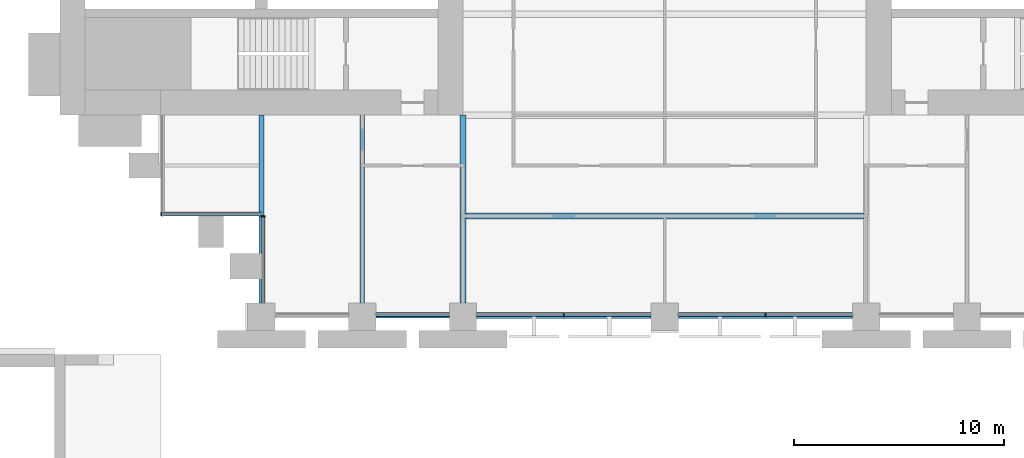
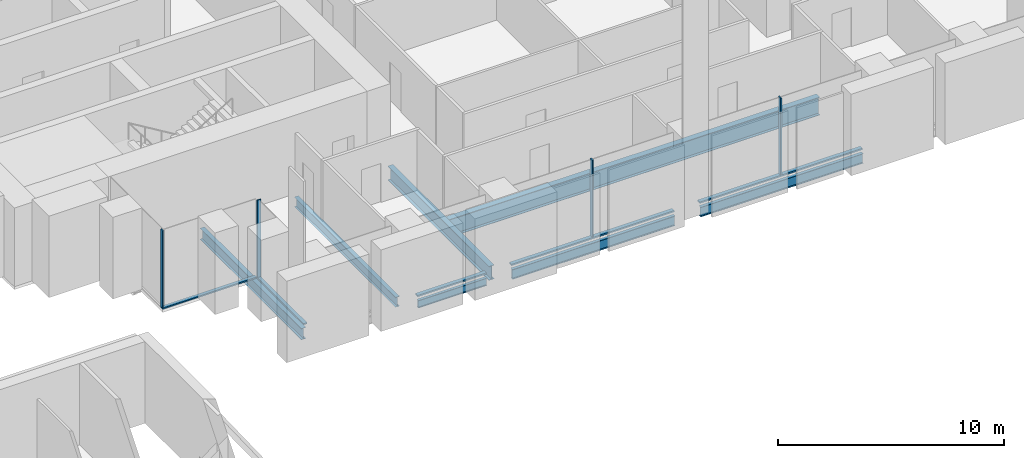
# One storey, part 5 of 22: 9 members, 7 beams, 3 elements without a shape of their own.
"""IFC4 building model written with IfcOpenShell, lengths in metres."""

from ifc_helpers import new_model, si_unit, direction, frame, origin, origin_2d, place, context, subcontext, project, spatial, rectangle, i_section, extrude, material, material_profile, profile_set, type_object, element, aggregate, save


model = new_model("IFC4")

# Units and contexts
model_context = context("Model", 3, precision=1e-05, world=origin(), true_north=direction((0.0, 1.0)))
body_context = subcontext(model_context, "Body", "Model", "MODEL_VIEW")
ifc_project = project(units=[si_unit("LENGTHUNIT", "METRE"), si_unit("AREAUNIT", "SQUARE_METRE"), si_unit("VOLUMEUNIT", "CUBIC_METRE"), si_unit("PLANEANGLEUNIT", "RADIAN"), si_unit("MASSUNIT", "GRAM", prefix="KILO")], contexts=[model_context])

# Site, building, storey
site_placement = place(None, origin())
site = spatial("IfcSite", under=ifc_project, at=site_placement, CompositionType="ELEMENT")
building_placement = place(site_placement, origin())
building = spatial("IfcBuilding", under=site, at=building_placement, Name="Baori Bourse Tower", CompositionType="ELEMENT")
storey_placement = place(building_placement, frame((0.0, 0.0, 25.800048828125)))
storey = spatial("IfcBuildingStorey", under=building, at=storey_placement, Name="L04", CompositionType="ELEMENT", Elevation=25.800048828125)

# Curtain wall, members
ifc_material_1 = material(Name="Pale anodised aluminium", Category="aluminium")
curtain_wall_type_1 = type_object("IfcCurtainWallType", Name="CW1 Curtain wall", PredefinedType="NOTDEFINED", material=ifc_material_1)
curtain_wall_1_placement = place(storey_placement, origin())
curtain_wall_1 = element("IfcCurtainWall", 1, at=curtain_wall_1_placement, inside=storey, type_object=curtain_wall_type_1, Name="Curtain wall CW1 L04 11", PredefinedType="NOTDEFINED")
ifc_material_2 = material(Name="Pale anodised aluminium", Category="aluminium")
ifc_material_profile_1 = material_profile(ifc_material_2, rectangle(XDim=0.199951171875, YDim=0.06005859375, at=origin_2d()), Name="Mullion 60x200")
ifc_profile_set_1 = profile_set([ifc_material_profile_1], Name="Pale anodised aluminium")
member_type_1 = type_object("IfcMemberType", Name="CW1 Curtain wall mullion", PredefinedType="MULLION", material=ifc_profile_set_1)
member_1_placement = place(storey_placement, frame((24.0, 0.10009765625, 0.079833984375), z_axis=(0.0, 0.0, 1.0), x_axis=(0.0, 1.0, 0.0)))
member_1 = element("IfcMember", 2, at=member_1_placement, type_object=member_type_1, Name="Curtain wall CW1 mullion", PredefinedType="MULLION", context=body_context, shape_type="SweptSolid", body=[
    extrude(rectangle(XDim=0.199951171875, YDim=0.06005859375, at=origin_2d()), origin(), (0.0, 0.0, 1.0), 4.16015625),
])
member_2_placement = place(storey_placement, frame((33.60009765625, 0.10009765625, 0.079833984375), z_axis=(0.0, 0.0, 1.0), x_axis=(0.0, 1.0, 0.0)))
member_2 = element("IfcMember", 3, at=member_2_placement, type_object=member_type_1, Name="Curtain wall CW1 mullion", PredefinedType="MULLION", context=body_context, shape_type="SweptSolid", body=[
    extrude(rectangle(XDim=0.199951171875, YDim=0.06005859375, at=origin_2d()), origin(), (0.0, 0.0, 1.0), 4.16015625),
])
ifc_material_3 = material(Name="Pale anodised aluminium", Category="aluminium")
ifc_material_profile_2 = material_profile(ifc_material_3, rectangle(XDim=0.199951171875, YDim=0.080078125, at=origin_2d()), Name="Transom 80x200")
ifc_profile_set_2 = profile_set([ifc_material_profile_2], Name="Pale anodised aluminium")
member_type_2 = type_object("IfcMemberType", Name="CW1 Curtain wall transom", PredefinedType="USERDEFINED", material=ifc_profile_set_2)
member_3_placement = place(storey_placement, frame((15.050048828125, 0.10009765625, 0.0400390625), z_axis=(1.0, 0.0, 0.0), x_axis=(0.0, 1.0, 0.0)))
member_3 = element("IfcMember", 4, at=member_3_placement, type_object=member_type_2, Name="Curtain wall CW1 sill rail", ObjectType="TRANSOM", PredefinedType="USERDEFINED", context=body_context, shape_type="SweptSolid", body=[
    extrude(rectangle(XDim=0.199951171875, YDim=0.080078125, at=origin_2d()), origin(), (0.0, 0.0, 1.0), 3.5),
])
member_4_placement = place(storey_placement, frame((19.85009765625, 0.10009765625, 0.0400390625), z_axis=(1.0, 0.0, 0.0), x_axis=(0.0, 1.0, 0.0)))
member_4 = element("IfcMember", 5, at=member_4_placement, type_object=member_type_2, Name="Curtain wall CW1 sill rail", ObjectType="TRANSOM", PredefinedType="USERDEFINED", context=body_context, shape_type="SweptSolid", body=[
    extrude(rectangle(XDim=0.199951171875, YDim=0.080078125, at=origin_2d()), origin(), (0.0, 0.0, 1.0), 8.2998046875),
])
member_5_placement = place(storey_placement, frame((29.449951171875, 0.10009765625, 0.0400390625), z_axis=(1.0, 0.0, 0.0), x_axis=(0.0, 1.0, 0.0)))
member_5 = element("IfcMember", 6, at=member_5_placement, type_object=member_type_2, Name="Curtain wall CW1 sill rail", ObjectType="TRANSOM", PredefinedType="USERDEFINED", context=body_context, shape_type="SweptSolid", body=[
    extrude(rectangle(XDim=0.199951171875, YDim=0.080078125, at=origin_2d()), origin(), (0.0, 0.0, 1.0), 8.300048828125),
])
aggregate(curtain_wall_1, [member_3, member_4, member_1, member_5, member_2])

# Curtain wall, member
ifc_material_4 = material(Name="Pale anodised aluminium", Category="aluminium")
curtain_wall_type_2 = type_object("IfcCurtainWallType", Name="CW2 Curtain wall", PredefinedType="NOTDEFINED", material=ifc_material_4)
curtain_wall_2_placement = place(storey_placement, origin())
curtain_wall_2 = element("IfcCurtainWall", 7, at=curtain_wall_2_placement, inside=storey, type_object=curtain_wall_type_2, Name="Curtain wall CW2 L04 9", PredefinedType="NOTDEFINED")
ifc_material_5 = material(Name="Pale anodised aluminium", Category="aluminium")
ifc_material_profile_3 = material_profile(ifc_material_5, rectangle(XDim=0.179931640625, YDim=0.054931640625, at=origin_2d()), Name="Mullion 55x180")
ifc_profile_set_3 = profile_set([ifc_material_profile_3], Name="Pale anodised aluminium")
member_type_3 = type_object("IfcMemberType", Name="CW2 Curtain wall mullion", PredefinedType="MULLION", material=ifc_profile_set_3)
member_6_placement = place(storey_placement, frame((4.827392578125, 4.889892578125, 0.070068359375), z_axis=(0.0, 0.0, 1.0), x_axis=(0.0, 1.0, 0.0)))
member_6 = element("IfcMember", 8, at=member_6_placement, type_object=member_type_3, Name="Curtain wall CW2 mullion", PredefinedType="MULLION", context=body_context, shape_type="SweptSolid", body=[
    extrude(rectangle(XDim=0.179931640625, YDim=0.054931640625, at=origin_2d()), origin(), (0.0, 0.0, 1.0), 4.169921875),
])

curtain_wall_3_placement = place(storey_placement, origin())
curtain_wall_3 = element("IfcCurtainWall", 9, at=curtain_wall_3_placement, inside=storey, type_object=curtain_wall_type_2, Name="Curtain wall CW2 L04 10", PredefinedType="NOTDEFINED")
member_7_placement = place(storey_placement, frame((9.68994140625, 4.7724609375, 0.070068359375), z_axis=(0.0, 0.0, 1.0), x_axis=(1.0, 0.0, 0.0)))
member_7 = element("IfcMember", 10, at=member_7_placement, type_object=member_type_3, Name="Curtain wall CW2 mullion", PredefinedType="MULLION", context=body_context, shape_type="SweptSolid", body=[
    extrude(rectangle(XDim=0.179931640625, YDim=0.054931640625, at=origin_2d()), origin(), (0.0, 0.0, 1.0), 4.169921875),
])

# Member
ifc_material_6 = material(Name="Pale anodised aluminium", Category="aluminium")
ifc_material_profile_4 = material_profile(ifc_material_6, rectangle(XDim=0.179931640625, YDim=0.070068359375, at=origin_2d()), Name="Transom 70x180")
ifc_profile_set_4 = profile_set([ifc_material_profile_4], Name="Pale anodised aluminium")
member_type_4 = type_object("IfcMemberType", Name="CW2 Curtain wall transom", PredefinedType="USERDEFINED", material=ifc_profile_set_4)
member_8_placement = place(storey_placement, frame((4.800048828125, 4.889892578125, 0.034912109375), z_axis=(1.0, 0.0, 0.0), x_axis=(0.0, 1.0, 0.0)))
member_8 = element("IfcMember", 11, at=member_8_placement, type_object=member_type_4, Name="Curtain wall CW2 sill rail", ObjectType="TRANSOM", PredefinedType="USERDEFINED", context=body_context, shape_type="SweptSolid", body=[
    extrude(rectangle(XDim=0.179931640625, YDim=0.070068359375, at=origin_2d()), origin(), (0.0, 0.0, 1.0), 4.800048828125),
])

aggregate(curtain_wall_2, [member_8, member_6])

member_9_placement = place(storey_placement, frame((9.68994140625, 4.800048828125, 0.034912109375), z_axis=(0.0, -1.0, 0.0), x_axis=(1.0, 0.0, 0.0)))
member_9 = element("IfcMember", 12, at=member_9_placement, type_object=member_type_4, Name="Curtain wall CW2 sill rail", ObjectType="TRANSOM", PredefinedType="USERDEFINED", context=body_context, shape_type="SweptSolid", body=[
    extrude(rectangle(XDim=0.179931640625, YDim=0.070068359375, at=origin_2d()), origin(), (0.0, 0.0, 1.0), 4.150146484375),
])

aggregate(curtain_wall_3, [member_9, member_7])

# Beams
ifc_material_7 = material(Name="Steel A992 Gr 50", Category="steel")
ifc_material_profile_5 = material_profile(ifc_material_7, i_section(OverallWidth=0.140380859375, OverallDepth=0.40380859375, WebThickness=0.007080078125, FlangeThickness=0.01123046875, at=origin_2d()), Name="W16x31")
ifc_profile_set_5 = profile_set([ifc_material_profile_5], Name="Steel A992 Gr 50")
beam_type_1 = type_object("IfcBeamType", Name="Edge beam W16x31", PredefinedType="BEAM", material=ifc_profile_set_5)
beam_1_placement = place(storey_placement, frame((15.050048828125, 0.0, -0.362060546875), z_axis=(1.0, 0.0, 0.0), x_axis=(0.0, 1.0, 0.0)))
element("IfcBeam", 13, at=beam_1_placement, inside=storey, type_object=beam_type_1, Name="Edge beam L04", PredefinedType="BEAM", context=body_context, shape_type="SweptSolid", body=[
    extrude(i_section(OverallWidth=0.140380859375, OverallDepth=0.40380859375, WebThickness=0.007080078125, FlangeThickness=0.01123046875, at=origin_2d()), origin(), (0.0, 0.0, 1.0), 3.5),
])
ifc_material_8 = material(Name="Steel A992 Gr 50", Category="steel")
ifc_material_profile_6 = material_profile(ifc_material_8, i_section(OverallWidth=0.1650390625, OverallDepth=0.52587890625, WebThickness=0.0087890625, FlangeThickness=0.011474609375, at=origin_2d()), Name="W21x44")
ifc_profile_set_6 = profile_set([ifc_material_profile_6], Name="Steel A992 Gr 50")
beam_type_2 = type_object("IfcBeamType", Name="Edge beam W21x44", PredefinedType="BEAM", material=ifc_profile_set_6)
beam_2_placement = place(storey_placement, frame((19.85009765625, 0.0, -0.4228515625), z_axis=(1.0, 0.0, 0.0), x_axis=(0.0, 1.0, 0.0)))
element("IfcBeam", 14, at=beam_2_placement, inside=storey, type_object=beam_type_2, Name="Edge beam L04", PredefinedType="BEAM", context=body_context, shape_type="SweptSolid", body=[
    extrude(i_section(OverallWidth=0.1650390625, OverallDepth=0.52587890625, WebThickness=0.0087890625, FlangeThickness=0.011474609375, at=origin_2d()), origin(), (0.0, 0.0, 1.0), 8.2998046875),
])
beam_3_placement = place(storey_placement, frame((29.449951171875, 0.0, -0.4228515625), z_axis=(1.0, 0.0, 0.0), x_axis=(0.0, 1.0, 0.0)))
element("IfcBeam", 15, at=beam_3_placement, inside=storey, type_object=beam_type_2, Name="Edge beam L04", PredefinedType="BEAM", context=body_context, shape_type="SweptSolid", body=[
    extrude(i_section(OverallWidth=0.1650390625, OverallDepth=0.52587890625, WebThickness=0.0087890625, FlangeThickness=0.011474609375, at=origin_2d()), origin(), (0.0, 0.0, 1.0), 8.300048828125),
])
ifc_material_9 = material(Name="Steel A992 Gr 50", Category="steel")
ifc_material_profile_7 = material_profile(ifc_material_9, i_section(OverallWidth=0.209228515625, OverallDepth=0.533447265625, WebThickness=0.01025390625, FlangeThickness=0.015625, at=origin_2d()), Name="W21x62")
ifc_profile_set_7 = profile_set([ifc_material_profile_7], Name="Steel A992 Gr 50")
beam_type_3 = type_object("IfcBeamType", Name="Floor beam W21x62", PredefinedType="BEAM", material=ifc_profile_set_7)
beam_4_placement = place(storey_placement, frame((14.39990234375, 0.64990234375, -0.4267578125), z_axis=(0.0, 1.0, 0.0), x_axis=(-1.0, 0.0, 0.0)))
element("IfcBeam", 16, at=beam_4_placement, inside=storey, type_object=beam_type_3, Name="Floor beam L04", PredefinedType="BEAM", context=body_context, shape_type="SweptSolid", body=[
    extrude(i_section(OverallWidth=0.209228515625, OverallDepth=0.533447265625, WebThickness=0.01025390625, FlangeThickness=0.015625, at=origin_2d()), origin(), (0.0, 0.0, 1.0), 8.9501953125),
])
ifc_material_10 = material(Name="Steel A992 Gr 50", Category="steel")
ifc_material_profile_8 = material_profile(ifc_material_10, i_section(OverallWidth=0.227783203125, OverallDepth=0.60205078125, WebThickness=0.010498046875, FlangeThickness=0.014892578125, at=origin_2d()), Name="W24x68")
ifc_profile_set_8 = profile_set([ifc_material_profile_8], Name="Steel A992 Gr 50")
beam_type_4 = type_object("IfcBeamType", Name="Floor beam W24x68", PredefinedType="BEAM", material=ifc_profile_set_8)
beam_5_placement = place(storey_placement, frame((9.60009765625, 0.64990234375, -0.4609375), z_axis=(0.0, 1.0, 0.0), x_axis=(-1.0, 0.0, 0.0)))
element("IfcBeam", 17, at=beam_5_placement, inside=storey, type_object=beam_type_4, Name="Floor beam L04", PredefinedType="BEAM", context=body_context, shape_type="SweptSolid", body=[
    extrude(i_section(OverallWidth=0.227783203125, OverallDepth=0.60205078125, WebThickness=0.010498046875, FlangeThickness=0.014892578125, at=origin_2d()), origin(), (0.0, 0.0, 1.0), 8.9501953125),
])
ifc_material_11 = material(Name="Steel A992 Gr 50", Category="steel")
ifc_material_profile_9 = material_profile(ifc_material_11, i_section(OverallWidth=0.2998046875, OverallDepth=0.97021484375, WebThickness=0.01611328125, FlangeThickness=0.02099609375, at=origin_2d()), Name="W40x149")
ifc_profile_set_9 = profile_set([ifc_material_profile_9], Name="Steel A992 Gr 50")
beam_type_5 = type_object("IfcBeamType", Name="Floor beam W40x149", PredefinedType="BEAM", material=ifc_profile_set_9)
beam_6_placement = place(storey_placement, frame((19.333251953125, 4.800048828125, -0.645263671875), z_axis=(1.0, 0.0, 0.0), x_axis=(0.0, 1.0, 0.0)))
element("IfcBeam", 18, at=beam_6_placement, inside=storey, type_object=beam_type_5, Name="Floor beam L04", PredefinedType="BEAM", context=body_context, shape_type="SweptSolid", body=[
    extrude(i_section(OverallWidth=0.2998046875, OverallDepth=0.97021484375, WebThickness=0.01611328125, FlangeThickness=0.02099609375, at=origin_2d()), origin(), (0.0, 0.0, 1.0), 18.933349609375),
])
ifc_material_12 = material(Name="Steel A992 Gr 50", Category="steel")
ifc_material_profile_10 = material_profile(ifc_material_12, i_section(OverallWidth=0.2666015625, OverallDepth=0.7568359375, WebThickness=0.013916015625, FlangeThickness=0.019287109375, at=origin_2d()), Name="W30x108")
ifc_profile_set_10 = profile_set([ifc_material_profile_10], Name="Steel A992 Gr 50")
beam_type_6 = type_object("IfcBeamType", Name="Girder W30x108", PredefinedType="BEAM", material=ifc_profile_set_10)
beam_7_placement = place(storey_placement, frame((19.199951171875, 0.64990234375, -0.53857421875), z_axis=(0.0, 1.0, 0.0), x_axis=(-1.0, 0.0, 0.0)))
element("IfcBeam", 19, at=beam_7_placement, inside=storey, type_object=beam_type_6, Name="Girder L04", PredefinedType="BEAM", context=body_context, shape_type="SweptSolid", body=[
    extrude(i_section(OverallWidth=0.2666015625, OverallDepth=0.7568359375, WebThickness=0.013916015625, FlangeThickness=0.019287109375, at=origin_2d()), origin(), (0.0, 0.0, 1.0), 8.9501953125),
])

save(model, "model.ifc")
